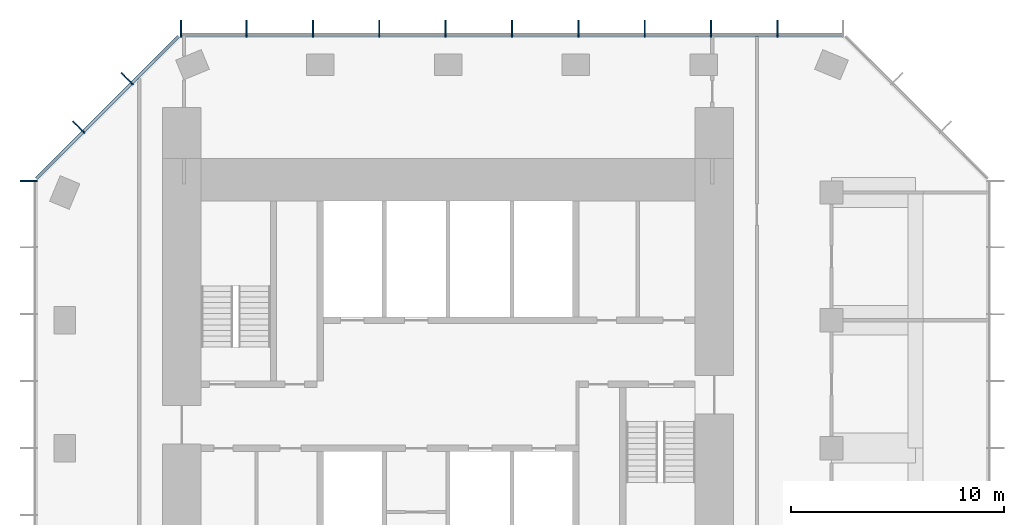
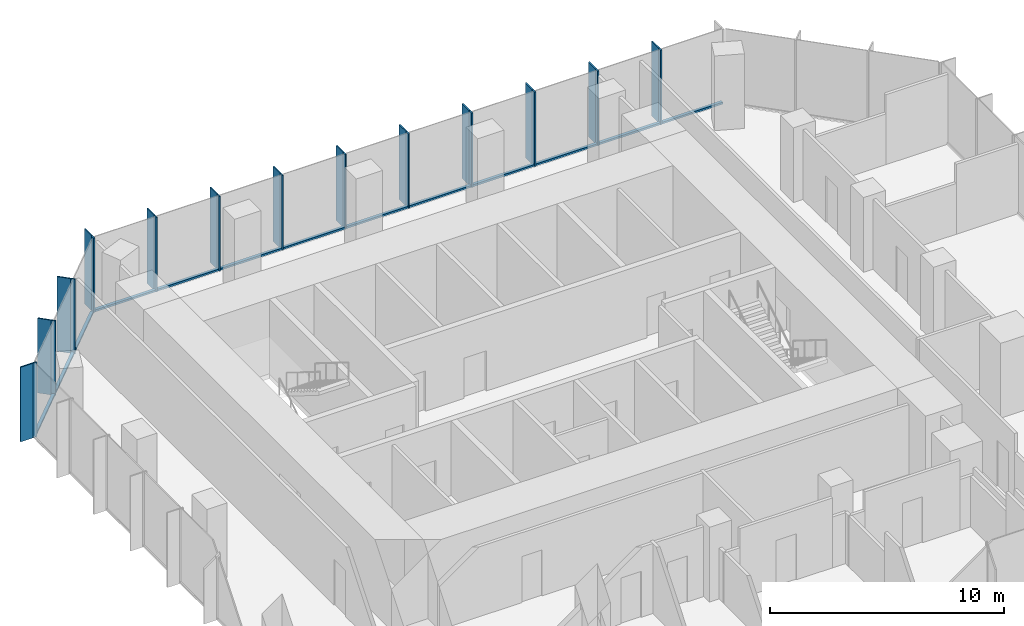
# One storey, part 5 of 11: 39 members, 3 elements without a shape of their own.
"""IFC4 building model written with IfcOpenShell, lengths in metres."""

from ifc_helpers import new_model, si_unit, direction, frame, origin, origin_2d, place, context, subcontext, project, spatial, rectangle, extrude, material, layer, layer_set, material_profile, profile_set, type_object, element, aggregate, save


model = new_model("IFC4")

# Units and contexts
model_context = context("Model", 3, precision=1e-05, world=origin(), true_north=direction((0.0, 1.0)))
body_context = subcontext(model_context, "Body", "Model", "MODEL_VIEW")
ifc_project = project(units=[si_unit("LENGTHUNIT", "METRE"), si_unit("AREAUNIT", "SQUARE_METRE"), si_unit("VOLUMEUNIT", "CUBIC_METRE"), si_unit("PLANEANGLEUNIT", "RADIAN"), si_unit("MASSUNIT", "GRAM", prefix="KILO")], contexts=[model_context])

# Site, building, storey
site_placement = place(None, origin())
site = spatial("IfcSite", under=ifc_project, at=site_placement, CompositionType="ELEMENT")
building_placement = place(site_placement, origin())
building = spatial("IfcBuilding", under=site, at=building_placement, Name="Highveld Stack Headquarters", CompositionType="ELEMENT")
storey_placement = place(building_placement, frame((0.0, 0.0, 276.199951171875)))
storey = spatial("IfcBuildingStorey", under=building, at=storey_placement, Name="L68", CompositionType="ELEMENT", Elevation=276.199951171875)

# Curtain wall, members
ifc_material_1 = material(Name="Aluminium bronze anodised", Category="aluminium")
ifc_layer = layer(ifc_material_1, 0.199951171875)
ifc_layer_set = layer_set([ifc_layer], Name="Aluminium bronze anodised")
curtain_wall_type = type_object("IfcCurtainWallType", Name="CW5 EXECUTIVE UNITISED CURTAIN WALL", PredefinedType="NOTDEFINED", material=ifc_layer_set)
curtain_wall_1_placement = place(storey_placement, origin())
curtain_wall_1 = element("IfcCurtainWall", 1, at=curtain_wall_1_placement, inside=storey, type_object=curtain_wall_type, Name="Curtain wall CW5 L68 N", PredefinedType="NOTDEFINED")
ifc_material_2 = material(Name="Aluminium bronze anodised", Category="aluminium")
ifc_material_profile_1 = material_profile(ifc_material_2, rectangle(XDim=0.60009765625, YDim=0.06005859375, at=origin_2d()), Name="FIN 600x60")
ifc_profile_set_1 = profile_set([ifc_material_profile_1], Name="Aluminium bronze anodised")
member_type_1 = type_object("IfcMemberType", Name="CW5 BRONZE FIN 600x60", PredefinedType="USERDEFINED", material=ifc_profile_set_1)
member_1_placement = place(storey_placement, frame((21.4638671875, 19.800048828125, 0.0), z_axis=(0.0, 0.0, 1.0), x_axis=(0.0, -1.0, 0.0)))
member_1 = element("IfcMember", 2, at=member_1_placement, type_object=member_type_1, Name="CW5 fin L68 2", ObjectType="FIN", PredefinedType="USERDEFINED", context=body_context, shape_type="SweptSolid", body=[
    extrude(rectangle(XDim=0.60009765625, YDim=0.06005859375, at=origin_2d()), origin(), (0.0, 0.0, 1.0), 3.900146484375),
])
member_2_placement = place(storey_placement, frame((18.347900390625, 19.800048828125, 0.0), z_axis=(0.0, 0.0, 1.0), x_axis=(0.0, -1.0, 0.0)))
member_2 = element("IfcMember", 3, at=member_2_placement, type_object=member_type_1, Name="CW5 fin L68 3", ObjectType="FIN", PredefinedType="USERDEFINED", context=body_context, shape_type="SweptSolid", body=[
    extrude(rectangle(XDim=0.60009765625, YDim=0.06005859375, at=origin_2d()), origin(), (0.0, 0.0, 1.0), 3.900146484375),
])
member_3_placement = place(storey_placement, frame((15.23193359375, 19.800048828125, 0.0), z_axis=(0.0, 0.0, 1.0), x_axis=(0.0, -1.0, 0.0)))
member_3 = element("IfcMember", 4, at=member_3_placement, type_object=member_type_1, Name="CW5 fin L68 4", ObjectType="FIN", PredefinedType="USERDEFINED", context=body_context, shape_type="SweptSolid", body=[
    extrude(rectangle(XDim=0.60009765625, YDim=0.06005859375, at=origin_2d()), origin(), (0.0, 0.0, 1.0), 3.900146484375),
])
member_4_placement = place(storey_placement, frame((12.115966796875, 19.800048828125, 0.0), z_axis=(0.0, 0.0, 1.0), x_axis=(0.0, -1.0, 0.0)))
member_4 = element("IfcMember", 5, at=member_4_placement, type_object=member_type_1, Name="CW5 fin L68 5", ObjectType="FIN", PredefinedType="USERDEFINED", context=body_context, shape_type="SweptSolid", body=[
    extrude(rectangle(XDim=0.60009765625, YDim=0.06005859375, at=origin_2d()), origin(), (0.0, 0.0, 1.0), 3.900146484375),
])
member_5_placement = place(storey_placement, frame((9.0, 19.800048828125, 0.0), z_axis=(0.0, 0.0, 1.0), x_axis=(0.0, -1.0, 0.0)))
member_5 = element("IfcMember", 6, at=member_5_placement, type_object=member_type_1, Name="CW5 fin L68 6", ObjectType="FIN", PredefinedType="USERDEFINED", context=body_context, shape_type="SweptSolid", body=[
    extrude(rectangle(XDim=0.60009765625, YDim=0.06005859375, at=origin_2d()), origin(), (0.0, 0.0, 1.0), 3.900146484375),
])
member_6_placement = place(storey_placement, frame((5.884033203125, 19.800048828125, 0.0), z_axis=(0.0, 0.0, 1.0), x_axis=(0.0, -1.0, 0.0)))
member_6 = element("IfcMember", 7, at=member_6_placement, type_object=member_type_1, Name="CW5 fin L68 7", ObjectType="FIN", PredefinedType="USERDEFINED", context=body_context, shape_type="SweptSolid", body=[
    extrude(rectangle(XDim=0.60009765625, YDim=0.06005859375, at=origin_2d()), origin(), (0.0, 0.0, 1.0), 3.900146484375),
])
member_7_placement = place(storey_placement, frame((2.76806640625, 19.800048828125, 0.0), z_axis=(0.0, 0.0, 1.0), x_axis=(0.0, -1.0, 0.0)))
member_7 = element("IfcMember", 8, at=member_7_placement, type_object=member_type_1, Name="CW5 fin L68 8", ObjectType="FIN", PredefinedType="USERDEFINED", context=body_context, shape_type="SweptSolid", body=[
    extrude(rectangle(XDim=0.60009765625, YDim=0.06005859375, at=origin_2d()), origin(), (0.0, 0.0, 1.0), 3.900146484375),
])
member_8_placement = place(storey_placement, frame((-0.347900390625, 19.800048828125, 0.0), z_axis=(0.0, 0.0, 1.0), x_axis=(0.0, -1.0, 0.0)))
member_8 = element("IfcMember", 9, at=member_8_placement, type_object=member_type_1, Name="CW5 fin L68 9", ObjectType="FIN", PredefinedType="USERDEFINED", context=body_context, shape_type="SweptSolid", body=[
    extrude(rectangle(XDim=0.60009765625, YDim=0.06005859375, at=origin_2d()), origin(), (0.0, 0.0, 1.0), 3.900146484375),
])
member_9_placement = place(storey_placement, frame((-3.4638671875, 19.800048828125, 0.0), z_axis=(0.0, 0.0, 1.0), x_axis=(0.0, -1.0, 0.0)))
member_9 = element("IfcMember", 10, at=member_9_placement, type_object=member_type_1, Name="CW5 fin L68 10", ObjectType="FIN", PredefinedType="USERDEFINED", context=body_context, shape_type="SweptSolid", body=[
    extrude(rectangle(XDim=0.60009765625, YDim=0.06005859375, at=origin_2d()), origin(), (0.0, 0.0, 1.0), 3.900146484375),
])
member_10_placement = place(storey_placement, frame((-6.54736328125, 19.800048828125, 0.0), z_axis=(0.0, 0.0, 1.0), x_axis=(0.0, -1.0, 0.0)))
member_10 = element("IfcMember", 11, at=member_10_placement, type_object=member_type_1, Name="CW5 fin L68 11", ObjectType="FIN", PredefinedType="USERDEFINED", context=body_context, shape_type="SweptSolid", body=[
    extrude(rectangle(XDim=0.60009765625, YDim=0.06005859375, at=origin_2d()), origin(), (0.0, 0.0, 1.0), 3.900146484375),
])

curtain_wall_2_placement = place(storey_placement, origin())
curtain_wall_2 = element("IfcCurtainWall", 12, at=curtain_wall_2_placement, inside=storey, type_object=curtain_wall_type, Name="Curtain wall CW5 L68 NW", PredefinedType="NOTDEFINED")
member_11_placement = place(storey_placement, frame((-9.135986328125, 17.409423828125, 0.0), z_axis=(0.0, 0.0, 1.0), x_axis=(0.707106781187, -0.707106781187, 0.0)))
member_11 = element("IfcMember", 13, at=member_11_placement, type_object=member_type_1, Name="CW5 fin L68 1", ObjectType="FIN", PredefinedType="USERDEFINED", context=body_context, shape_type="SweptSolid", body=[
    extrude(rectangle(XDim=0.60009765625, YDim=0.06005859375, at=origin_2d()), origin(), (0.0, 0.0, 1.0), 3.900146484375),
])
member_12_placement = place(storey_placement, frame((-11.409423828125, 15.135986328125, 0.0), z_axis=(0.0, 0.0, 1.0), x_axis=(0.707106781187, -0.707106781187, 0.0)))
member_12 = element("IfcMember", 14, at=member_12_placement, type_object=member_type_1, Name="CW5 fin L68 2", ObjectType="FIN", PredefinedType="USERDEFINED", context=body_context, shape_type="SweptSolid", body=[
    extrude(rectangle(XDim=0.60009765625, YDim=0.06005859375, at=origin_2d()), origin(), (0.0, 0.0, 1.0), 3.900146484375),
])

# Curtain wall, member
curtain_wall_3_placement = place(storey_placement, origin())
curtain_wall_3 = element("IfcCurtainWall", 15, at=curtain_wall_3_placement, inside=storey, type_object=curtain_wall_type, Name="Curtain wall CW5 L68 W", PredefinedType="NOTDEFINED")
member_13_placement = place(storey_placement, frame((-13.800048828125, 12.54736328125, 0.0), z_axis=(0.0, 0.0, 1.0), x_axis=(1.0, 0.0, 0.0)))
member_13 = element("IfcMember", 16, at=member_13_placement, type_object=member_type_1, Name="CW5 fin L68 1", ObjectType="FIN", PredefinedType="USERDEFINED", context=body_context, shape_type="SweptSolid", body=[
    extrude(rectangle(XDim=0.60009765625, YDim=0.06005859375, at=origin_2d()), origin(), (0.0, 0.0, 1.0), 3.900146484375),
])

# Member
ifc_material_3 = material(Name="Aluminium bronze anodised", Category="aluminium")
ifc_material_profile_2 = material_profile(ifc_material_3, rectangle(XDim=0.199951171875, YDim=0.06494140625, at=origin_2d()), Name="CW5 MULLION 65x200")
ifc_profile_set_2 = profile_set([ifc_material_profile_2], Name="Aluminium bronze anodised")
member_type_2 = type_object("IfcMemberType", Name="CW5 MULLION 65x200", PredefinedType="MULLION", material=ifc_profile_set_2)
member_14_placement = place(storey_placement, frame((21.4638671875, 19.39990234375, 0.0), z_axis=(0.0, 0.0, 1.0), x_axis=(0.0, -1.0, 0.0)))
member_14 = element("IfcMember", 17, at=member_14_placement, type_object=member_type_2, Name="CW5 mullion L68 2", PredefinedType="MULLION", context=body_context, shape_type="SweptSolid", body=[
    extrude(rectangle(XDim=0.199951171875, YDim=0.06494140625, at=origin_2d()), origin(), (0.0, 0.0, 1.0), 3.900146484375),
])

member_15_placement = place(storey_placement, frame((18.347900390625, 19.39990234375, 0.0), z_axis=(0.0, 0.0, 1.0), x_axis=(0.0, -1.0, 0.0)))
member_15 = element("IfcMember", 18, at=member_15_placement, type_object=member_type_2, Name="CW5 mullion L68 3", PredefinedType="MULLION", context=body_context, shape_type="SweptSolid", body=[
    extrude(rectangle(XDim=0.199951171875, YDim=0.06494140625, at=origin_2d()), origin(), (0.0, 0.0, 1.0), 3.900146484375),
])

member_16_placement = place(storey_placement, frame((15.23193359375, 19.39990234375, 0.0), z_axis=(0.0, 0.0, 1.0), x_axis=(0.0, -1.0, 0.0)))
member_16 = element("IfcMember", 19, at=member_16_placement, type_object=member_type_2, Name="CW5 mullion L68 4", PredefinedType="MULLION", context=body_context, shape_type="SweptSolid", body=[
    extrude(rectangle(XDim=0.199951171875, YDim=0.06494140625, at=origin_2d()), origin(), (0.0, 0.0, 1.0), 3.900146484375),
])

member_17_placement = place(storey_placement, frame((12.115966796875, 19.39990234375, 0.0), z_axis=(0.0, 0.0, 1.0), x_axis=(0.0, -1.0, 0.0)))
member_17 = element("IfcMember", 20, at=member_17_placement, type_object=member_type_2, Name="CW5 mullion L68 5", PredefinedType="MULLION", context=body_context, shape_type="SweptSolid", body=[
    extrude(rectangle(XDim=0.199951171875, YDim=0.06494140625, at=origin_2d()), origin(), (0.0, 0.0, 1.0), 3.900146484375),
])

member_18_placement = place(storey_placement, frame((9.0, 19.39990234375, 0.0), z_axis=(0.0, 0.0, 1.0), x_axis=(0.0, -1.0, 0.0)))
member_18 = element("IfcMember", 21, at=member_18_placement, type_object=member_type_2, Name="CW5 mullion L68 6", PredefinedType="MULLION", context=body_context, shape_type="SweptSolid", body=[
    extrude(rectangle(XDim=0.199951171875, YDim=0.06494140625, at=origin_2d()), origin(), (0.0, 0.0, 1.0), 3.900146484375),
])

member_19_placement = place(storey_placement, frame((5.884033203125, 19.39990234375, 0.0), z_axis=(0.0, 0.0, 1.0), x_axis=(0.0, -1.0, 0.0)))
member_19 = element("IfcMember", 22, at=member_19_placement, type_object=member_type_2, Name="CW5 mullion L68 7", PredefinedType="MULLION", context=body_context, shape_type="SweptSolid", body=[
    extrude(rectangle(XDim=0.199951171875, YDim=0.06494140625, at=origin_2d()), origin(), (0.0, 0.0, 1.0), 3.900146484375),
])

member_20_placement = place(storey_placement, frame((2.76806640625, 19.39990234375, 0.0), z_axis=(0.0, 0.0, 1.0), x_axis=(0.0, -1.0, 0.0)))
member_20 = element("IfcMember", 23, at=member_20_placement, type_object=member_type_2, Name="CW5 mullion L68 8", PredefinedType="MULLION", context=body_context, shape_type="SweptSolid", body=[
    extrude(rectangle(XDim=0.199951171875, YDim=0.06494140625, at=origin_2d()), origin(), (0.0, 0.0, 1.0), 3.900146484375),
])

member_21_placement = place(storey_placement, frame((-0.347900390625, 19.39990234375, 0.0), z_axis=(0.0, 0.0, 1.0), x_axis=(0.0, -1.0, 0.0)))
member_21 = element("IfcMember", 24, at=member_21_placement, type_object=member_type_2, Name="CW5 mullion L68 9", PredefinedType="MULLION", context=body_context, shape_type="SweptSolid", body=[
    extrude(rectangle(XDim=0.199951171875, YDim=0.06494140625, at=origin_2d()), origin(), (0.0, 0.0, 1.0), 3.900146484375),
])

member_22_placement = place(storey_placement, frame((-3.4638671875, 19.39990234375, 0.0), z_axis=(0.0, 0.0, 1.0), x_axis=(0.0, -1.0, 0.0)))
member_22 = element("IfcMember", 25, at=member_22_placement, type_object=member_type_2, Name="CW5 mullion L68 10", PredefinedType="MULLION", context=body_context, shape_type="SweptSolid", body=[
    extrude(rectangle(XDim=0.199951171875, YDim=0.06494140625, at=origin_2d()), origin(), (0.0, 0.0, 1.0), 3.900146484375),
])

member_23_placement = place(storey_placement, frame((-6.54736328125, 19.39990234375, 0.0), z_axis=(0.0, 0.0, 1.0), x_axis=(0.0, -1.0, 0.0)))
member_23 = element("IfcMember", 26, at=member_23_placement, type_object=member_type_2, Name="CW5 mullion L68 11", PredefinedType="MULLION", context=body_context, shape_type="SweptSolid", body=[
    extrude(rectangle(XDim=0.199951171875, YDim=0.06494140625, at=origin_2d()), origin(), (0.0, 0.0, 1.0), 3.900146484375),
])

member_24_placement = place(storey_placement, frame((-8.853271484375, 17.126708984375, 0.0), z_axis=(0.0, 0.0, 1.0), x_axis=(0.707106781187, -0.707106781187, 0.0)))
member_24 = element("IfcMember", 27, at=member_24_placement, type_object=member_type_2, Name="CW5 mullion L68 1", PredefinedType="MULLION", context=body_context, shape_type="SweptSolid", body=[
    extrude(rectangle(XDim=0.199951171875, YDim=0.06494140625, at=origin_2d()), origin(), (0.0, 0.0, 1.0), 3.900146484375),
])

member_25_placement = place(storey_placement, frame((-11.126708984375, 14.853271484375, 0.0), z_axis=(0.0, 0.0, 1.0), x_axis=(0.707106781187, -0.707106781187, 0.0)))
member_25 = element("IfcMember", 28, at=member_25_placement, type_object=member_type_2, Name="CW5 mullion L68 2", PredefinedType="MULLION", context=body_context, shape_type="SweptSolid", body=[
    extrude(rectangle(XDim=0.199951171875, YDim=0.06494140625, at=origin_2d()), origin(), (0.0, 0.0, 1.0), 3.900146484375),
])

member_26_placement = place(storey_placement, frame((-13.39990234375, 12.54736328125, 0.0), z_axis=(0.0, 0.0, 1.0), x_axis=(1.0, 0.0, 0.0)))
member_26 = element("IfcMember", 29, at=member_26_placement, type_object=member_type_2, Name="CW5 mullion L68 1", PredefinedType="MULLION", context=body_context, shape_type="SweptSolid", body=[
    extrude(rectangle(XDim=0.199951171875, YDim=0.06494140625, at=origin_2d()), origin(), (0.0, 0.0, 1.0), 3.900146484375),
])

aggregate(curtain_wall_3, [member_26, member_13])

ifc_material_4 = material(Name="Aluminium bronze anodised", Category="aluminium")
ifc_material_profile_3 = material_profile(ifc_material_4, rectangle(XDim=0.14990234375, YDim=0.10009765625, at=origin_2d()), Name="CW5 TRANSOM 150x100")
ifc_profile_set_3 = profile_set([ifc_material_profile_3], Name="Aluminium bronze anodised")
member_type_3 = type_object("IfcMemberType", Name="CW5 STACK TRANSOM 150x100", PredefinedType="USERDEFINED", material=ifc_profile_set_3)
member_27_placement = place(storey_placement, frame((24.514892578125, 19.39990234375, 0.050048828125), z_axis=(-1.0, 0.0, 0.0), x_axis=(0.0, -1.0, 0.0)))
member_27 = element("IfcMember", 30, at=member_27_placement, type_object=member_type_3, Name="CW5 transom L68 1.1", ObjectType="TRANSOM", PredefinedType="USERDEFINED", context=body_context, shape_type="SweptSolid", body=[
    extrude(rectangle(XDim=0.14990234375, YDim=0.10009765625, at=origin_2d()), origin(), (0.0, 0.0, 1.0), 3.0185546875),
])

member_28_placement = place(storey_placement, frame((21.431396484375, 19.39990234375, 0.050048828125), z_axis=(-1.0, 0.0, 0.0), x_axis=(0.0, -1.0, 0.0)))
member_28 = element("IfcMember", 31, at=member_28_placement, type_object=member_type_3, Name="CW5 transom L68 2.1", ObjectType="TRANSOM", PredefinedType="USERDEFINED", context=body_context, shape_type="SweptSolid", body=[
    extrude(rectangle(XDim=0.14990234375, YDim=0.10009765625, at=origin_2d()), origin(), (0.0, 0.0, 1.0), 3.051025390625),
])

member_29_placement = place(storey_placement, frame((18.3154296875, 19.39990234375, 0.050048828125), z_axis=(-1.0, 0.0, 0.0), x_axis=(0.0, -1.0, 0.0)))
member_29 = element("IfcMember", 32, at=member_29_placement, type_object=member_type_3, Name="CW5 transom L68 3.1", ObjectType="TRANSOM", PredefinedType="USERDEFINED", context=body_context, shape_type="SweptSolid", body=[
    extrude(rectangle(XDim=0.14990234375, YDim=0.10009765625, at=origin_2d()), origin(), (0.0, 0.0, 1.0), 3.051025390625),
])

member_30_placement = place(storey_placement, frame((15.199462890625, 19.39990234375, 0.050048828125), z_axis=(-1.0, 0.0, 0.0), x_axis=(0.0, -1.0, 0.0)))
member_30 = element("IfcMember", 33, at=member_30_placement, type_object=member_type_3, Name="CW5 transom L68 4.1", ObjectType="TRANSOM", PredefinedType="USERDEFINED", context=body_context, shape_type="SweptSolid", body=[
    extrude(rectangle(XDim=0.14990234375, YDim=0.10009765625, at=origin_2d()), origin(), (0.0, 0.0, 1.0), 3.051025390625),
])

member_31_placement = place(storey_placement, frame((12.08349609375, 19.39990234375, 0.050048828125), z_axis=(-1.0, 0.0, 0.0), x_axis=(0.0, -1.0, 0.0)))
member_31 = element("IfcMember", 34, at=member_31_placement, type_object=member_type_3, Name="CW5 transom L68 5.1", ObjectType="TRANSOM", PredefinedType="USERDEFINED", context=body_context, shape_type="SweptSolid", body=[
    extrude(rectangle(XDim=0.14990234375, YDim=0.10009765625, at=origin_2d()), origin(), (0.0, 0.0, 1.0), 3.051025390625),
])

member_32_placement = place(storey_placement, frame((8.967529296875, 19.39990234375, 0.050048828125), z_axis=(-1.0, 0.0, 0.0), x_axis=(0.0, -1.0, 0.0)))
member_32 = element("IfcMember", 35, at=member_32_placement, type_object=member_type_3, Name="CW5 transom L68 6.1", ObjectType="TRANSOM", PredefinedType="USERDEFINED", context=body_context, shape_type="SweptSolid", body=[
    extrude(rectangle(XDim=0.14990234375, YDim=0.10009765625, at=origin_2d()), origin(), (0.0, 0.0, 1.0), 3.051025390625),
])

member_33_placement = place(storey_placement, frame((5.8515625, 19.39990234375, 0.050048828125), z_axis=(-1.0, 0.0, 0.0), x_axis=(0.0, -1.0, 0.0)))
member_33 = element("IfcMember", 36, at=member_33_placement, type_object=member_type_3, Name="CW5 transom L68 7.1", ObjectType="TRANSOM", PredefinedType="USERDEFINED", context=body_context, shape_type="SweptSolid", body=[
    extrude(rectangle(XDim=0.14990234375, YDim=0.10009765625, at=origin_2d()), origin(), (0.0, 0.0, 1.0), 3.051025390625),
])

member_34_placement = place(storey_placement, frame((2.735595703125, 19.39990234375, 0.050048828125), z_axis=(-1.0, 0.0, 0.0), x_axis=(0.0, -1.0, 0.0)))
member_34 = element("IfcMember", 37, at=member_34_placement, type_object=member_type_3, Name="CW5 transom L68 8.1", ObjectType="TRANSOM", PredefinedType="USERDEFINED", context=body_context, shape_type="SweptSolid", body=[
    extrude(rectangle(XDim=0.14990234375, YDim=0.10009765625, at=origin_2d()), origin(), (0.0, 0.0, 1.0), 3.051025390625),
])

member_35_placement = place(storey_placement, frame((-0.38037109375, 19.39990234375, 0.050048828125), z_axis=(-1.0, 0.0, 0.0), x_axis=(0.0, -1.0, 0.0)))
member_35 = element("IfcMember", 38, at=member_35_placement, type_object=member_type_3, Name="CW5 transom L68 9.1", ObjectType="TRANSOM", PredefinedType="USERDEFINED", context=body_context, shape_type="SweptSolid", body=[
    extrude(rectangle(XDim=0.14990234375, YDim=0.10009765625, at=origin_2d()), origin(), (0.0, 0.0, 1.0), 3.051025390625),
])

member_36_placement = place(storey_placement, frame((-3.496337890625, 19.39990234375, 0.050048828125), z_axis=(-1.0, 0.0, 0.0), x_axis=(0.0, -1.0, 0.0)))
member_36 = element("IfcMember", 39, at=member_36_placement, type_object=member_type_3, Name="CW5 transom L68 10.1", ObjectType="TRANSOM", PredefinedType="USERDEFINED", context=body_context, shape_type="SweptSolid", body=[
    extrude(rectangle(XDim=0.14990234375, YDim=0.10009765625, at=origin_2d()), origin(), (0.0, 0.0, 1.0), 3.0185546875),
])

aggregate(curtain_wall_1, [member_14, member_1, member_15, member_2, member_16, member_3, member_17, member_4, member_18, member_5, member_19, member_6, member_20, member_7, member_21, member_8, member_22, member_9, member_23, member_10, member_27, member_28, member_29, member_30, member_31, member_32, member_33, member_34, member_35, member_36])

member_37_placement = place(storey_placement, frame((-6.650634765625, 19.329345703125, 0.050048828125), z_axis=(-0.707106781187, -0.707106781187, 0.0), x_axis=(0.707106781187, -0.707106781187, 0.0)))
member_37 = element("IfcMember", 40, at=member_37_placement, type_object=member_type_3, Name="CW5 transom L68 1.1", ObjectType="TRANSOM", PredefinedType="USERDEFINED", context=body_context, shape_type="SweptSolid", body=[
    extrude(rectangle(XDim=0.14990234375, YDim=0.10009765625, at=origin_2d()), origin(), (0.0, 0.0, 1.0), 3.08251953125),
])

member_38_placement = place(storey_placement, frame((-8.876220703125, 17.103759765625, 0.050048828125), z_axis=(-0.707106781187, -0.707106781187, 0.0), x_axis=(0.707106781187, -0.707106781187, 0.0)))
member_38 = element("IfcMember", 41, at=member_38_placement, type_object=member_type_3, Name="CW5 transom L68 2.1", ObjectType="TRANSOM", PredefinedType="USERDEFINED", context=body_context, shape_type="SweptSolid", body=[
    extrude(rectangle(XDim=0.14990234375, YDim=0.10009765625, at=origin_2d()), origin(), (0.0, 0.0, 1.0), 3.150146484375),
])

member_39_placement = place(storey_placement, frame((-11.149658203125, 14.830322265625, 0.050048828125), z_axis=(-0.707106781187, -0.707106781187, 0.0), x_axis=(0.707106781187, -0.707106781187, 0.0)))
member_39 = element("IfcMember", 42, at=member_39_placement, type_object=member_type_3, Name="CW5 transom L68 3.1", ObjectType="TRANSOM", PredefinedType="USERDEFINED", context=body_context, shape_type="SweptSolid", body=[
    extrude(rectangle(XDim=0.14990234375, YDim=0.10009765625, at=origin_2d()), origin(), (0.0, 0.0, 1.0), 3.08251953125),
])

aggregate(curtain_wall_2, [member_24, member_11, member_25, member_12, member_37, member_38, member_39])

save(model, "model.ifc")
